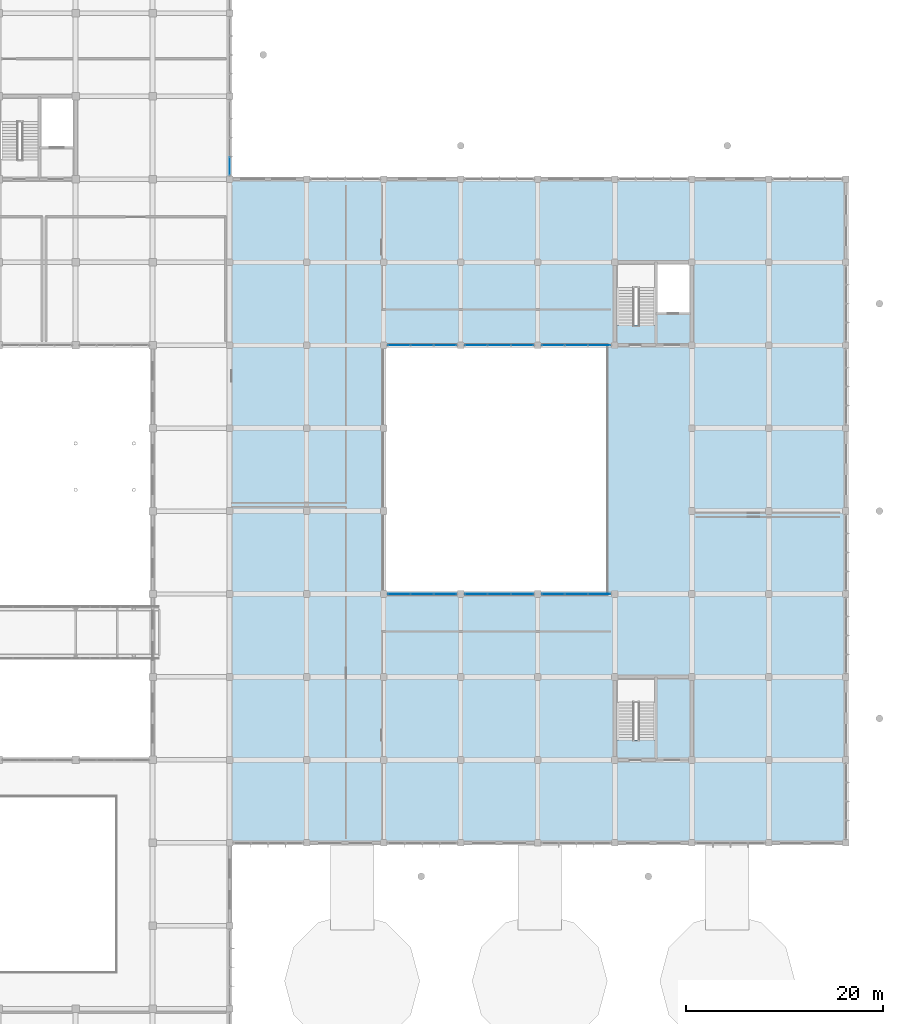
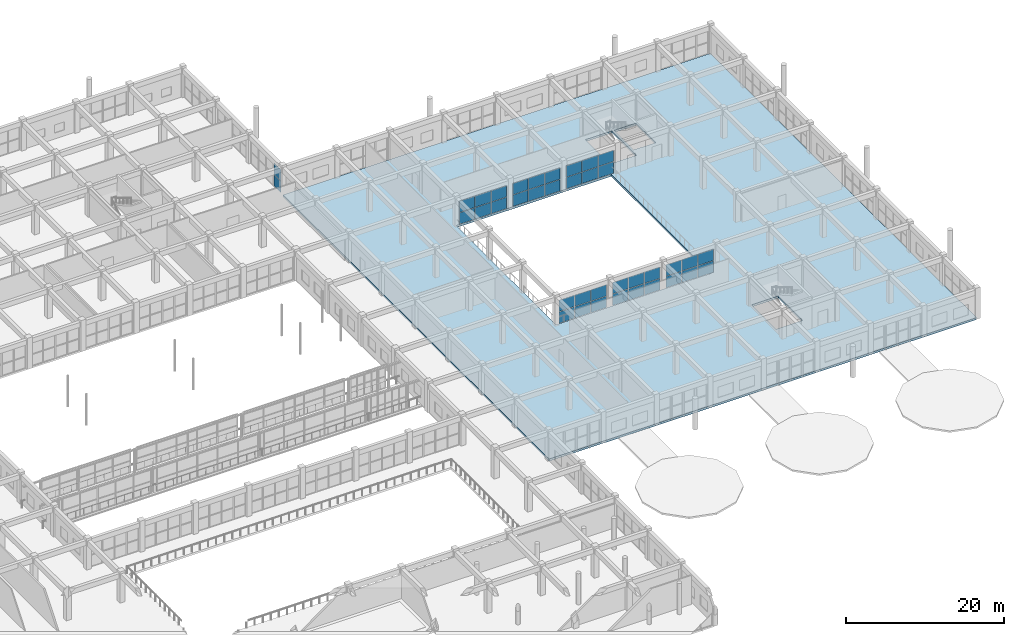
# One storey, part 150 of 175: 38 plates, 1 slab, 7 elements without a shape of their own.
"""IFC4 building model written with IfcOpenShell, lengths in metres."""

from ifc_helpers import new_model, si_unit, direction, frame, origin, origin_2d, place, context, subcontext, project, spatial, polyline, rectangle, outline, extrude, material, layer, layer_set, type_object, element, aggregate, save


model = new_model("IFC4")

# Units and contexts
model_context = context("Model", 3, precision=1e-05, world=origin(), true_north=direction((0.0, 1.0)))
body_context = subcontext(model_context, "Body", "Model", "MODEL_VIEW")
ifc_project = project(units=[si_unit("LENGTHUNIT", "METRE"), si_unit("AREAUNIT", "SQUARE_METRE"), si_unit("VOLUMEUNIT", "CUBIC_METRE"), si_unit("PLANEANGLEUNIT", "RADIAN"), si_unit("MASSUNIT", "GRAM", prefix="KILO")], contexts=[model_context])

# Site, building, storey
site_placement = place(None, origin())
site = spatial("IfcSite", under=ifc_project, at=site_placement, CompositionType="ELEMENT")
building_placement = place(site_placement, origin())
building = spatial("IfcBuilding", under=site, at=building_placement, Name="Zizhar Promenade General Hospital", CompositionType="ELEMENT")
storey_placement = place(building_placement, frame((0.0, 0.0, 4.800048828125)))
storey = spatial("IfcBuildingStorey", under=building, at=storey_placement, Name="L01", CompositionType="ELEMENT", Elevation=4.800048828125)

# Curtain wall, plates
ifc_material_1 = material(Name="Anodised aluminium 6063-T6 and low-E glass", Category="aluminium")
ifc_layer_1 = layer(ifc_material_1, 0.159912109375)
ifc_layer_set_1 = layer_set([ifc_layer_1], Name="Anodised aluminium 6063-T6 and low-E glass")
curtain_wall_type_1 = type_object("IfcCurtainWallType", Name="CW-DT-MOD1", PredefinedType="NOTDEFINED", material=ifc_layer_set_1)
curtain_wall_1_placement = place(storey_placement, origin())
curtain_wall_1 = element("IfcCurtainWall", 1, at=curtain_wall_1_placement, inside=storey, type_object=curtain_wall_type_1, Name="Surgical East Glazed Curtain Wall L01-13", PredefinedType="NOTDEFINED")
ifc_material_2 = material(Name="Low-E solar-control glass", Category="glass")
ifc_layer_2 = layer(ifc_material_2, 0.031982421875)
ifc_layer_set_2 = layer_set([ifc_layer_2], Name="Low-E solar-control glass")
plate_type = type_object("IfcPlateType", Name="CWP-GLZ-32", PredefinedType="CURTAIN_PANEL", material=ifc_layer_set_2)
plate_1_placement = place(storey_placement, frame((132.60009765625, 110.5400390625, 0.06005859375), z_axis=(0.0, 0.0, 1.0), x_axis=(0.0, -1.0, 0.0)))
plate_1 = element("IfcPlate", 2, at=plate_1_placement, type_object=plate_type, Name="CW-07 panel 4.1", PredefinedType="CURTAIN_PANEL", context=body_context, shape_type="SweptSolid", body=[
    extrude(rectangle(XDim=1.800048828125, YDim=0.031982421875, at=origin_2d()), origin(), (0.0, 0.0, 1.0), 1.75),
])
plate_2_placement = place(storey_placement, frame((132.60009765625, 110.5400390625, 1.869873046875), z_axis=(0.0, 0.0, 1.0), x_axis=(0.0, -1.0, 0.0)))
plate_2 = element("IfcPlate", 3, at=plate_2_placement, type_object=plate_type, Name="CW-07 panel 4.2", PredefinedType="CURTAIN_PANEL", context=body_context, shape_type="SweptSolid", body=[
    extrude(rectangle(XDim=1.800048828125, YDim=0.031982421875, at=origin_2d()), origin(), (0.0, 0.0, 1.0), 1.75),
])
aggregate(curtain_wall_1, [plate_1, plate_2])

ifc_material_3 = material(Name="Anodised aluminium 6063-T6 and low-E glass", Category="aluminium")
ifc_layer_3 = layer(ifc_material_3, 0.159912109375)
ifc_layer_set_3 = layer_set([ifc_layer_3], Name="Anodised aluminium 6063-T6 and low-E glass")
curtain_wall_type_2 = type_object("IfcCurtainWallType", Name="CW-CLN-CRT", PredefinedType="NOTDEFINED", material=ifc_layer_set_3)
curtain_wall_2_placement = place(storey_placement, origin())
curtain_wall_2 = element("IfcCurtainWall", 4, at=curtain_wall_2_placement, inside=storey, type_object=curtain_wall_type_2, Name="East Light Court South Glazing L01-19", PredefinedType="NOTDEFINED")
plate_3_placement = place(storey_placement, frame((149.760009765625, 67.199951171875, 0.06005859375), z_axis=(0.0, 0.0, 1.0), x_axis=(1.0, 0.0, 0.0)))
plate_3 = element("IfcPlate", 5, at=plate_3_placement, type_object=plate_type, Name="CW-10 panel 1.1", PredefinedType="CURTAIN_PANEL", context=body_context, shape_type="SweptSolid", body=[
    extrude(rectangle(XDim=2.239990234375, YDim=0.031982421875, at=origin_2d()), origin(), (0.0, 0.0, 1.0), 1.75),
])
plate_4_placement = place(storey_placement, frame((149.760009765625, 67.199951171875, 1.869873046875), z_axis=(0.0, 0.0, 1.0), x_axis=(1.0, 0.0, 0.0)))
plate_4 = element("IfcPlate", 6, at=plate_4_placement, type_object=plate_type, Name="CW-10 panel 1.2", PredefinedType="CURTAIN_PANEL", context=body_context, shape_type="SweptSolid", body=[
    extrude(rectangle(XDim=2.239990234375, YDim=0.031982421875, at=origin_2d()), origin(), (0.0, 0.0, 1.0), 1.75),
])
plate_5_placement = place(storey_placement, frame((152.10009765625, 67.199951171875, 0.06005859375), z_axis=(0.0, 0.0, 1.0), x_axis=(1.0, 0.0, 0.0)))
plate_5 = element("IfcPlate", 7, at=plate_5_placement, type_object=plate_type, Name="CW-10 panel 2.1", PredefinedType="CURTAIN_PANEL", context=body_context, shape_type="SweptSolid", body=[
    extrude(rectangle(XDim=2.280029296875, YDim=0.031982421875, at=origin_2d()), origin(), (0.0, 0.0, 1.0), 1.75),
])
plate_6_placement = place(storey_placement, frame((152.10009765625, 67.199951171875, 1.869873046875), z_axis=(0.0, 0.0, 1.0), x_axis=(1.0, 0.0, 0.0)))
plate_6 = element("IfcPlate", 8, at=plate_6_placement, type_object=plate_type, Name="CW-10 panel 2.2", PredefinedType="CURTAIN_PANEL", context=body_context, shape_type="SweptSolid", body=[
    extrude(rectangle(XDim=2.280029296875, YDim=0.031982421875, at=origin_2d()), origin(), (0.0, 0.0, 1.0), 1.75),
])
plate_7_placement = place(storey_placement, frame((154.43994140625, 67.199951171875, 0.06005859375), z_axis=(0.0, 0.0, 1.0), x_axis=(1.0, 0.0, 0.0)))
plate_7 = element("IfcPlate", 9, at=plate_7_placement, type_object=plate_type, Name="CW-10 panel 3.1", PredefinedType="CURTAIN_PANEL", context=body_context, shape_type="SweptSolid", body=[
    extrude(rectangle(XDim=2.239990234375, YDim=0.031982421875, at=origin_2d()), origin(), (0.0, 0.0, 1.0), 1.75),
])
plate_8_placement = place(storey_placement, frame((154.43994140625, 67.199951171875, 1.869873046875), z_axis=(0.0, 0.0, 1.0), x_axis=(1.0, 0.0, 0.0)))
plate_8 = element("IfcPlate", 10, at=plate_8_placement, type_object=plate_type, Name="CW-10 panel 3.2", PredefinedType="CURTAIN_PANEL", context=body_context, shape_type="SweptSolid", body=[
    extrude(rectangle(XDim=2.239990234375, YDim=0.031982421875, at=origin_2d()), origin(), (0.0, 0.0, 1.0), 1.75),
])
aggregate(curtain_wall_2, [plate_3, plate_4, plate_5, plate_6, plate_7, plate_8])

curtain_wall_3_placement = place(storey_placement, origin())
curtain_wall_3 = element("IfcCurtainWall", 11, at=curtain_wall_3_placement, inside=storey, type_object=curtain_wall_type_2, Name="East Light Court North Glazing L01-19", PredefinedType="NOTDEFINED")
plate_9_placement = place(storey_placement, frame((154.43994140625, 92.39990234375, 0.06005859375), z_axis=(0.0, 0.0, 1.0), x_axis=(-1.0, 0.0, 0.0)))
plate_9 = element("IfcPlate", 12, at=plate_9_placement, type_object=plate_type, Name="CW-10 panel 1.1", PredefinedType="CURTAIN_PANEL", context=body_context, shape_type="SweptSolid", body=[
    extrude(rectangle(XDim=2.239990234375, YDim=0.031982421875, at=origin_2d()), origin(), (0.0, 0.0, 1.0), 1.75),
])
plate_10_placement = place(storey_placement, frame((154.43994140625, 92.39990234375, 1.869873046875), z_axis=(0.0, 0.0, 1.0), x_axis=(-1.0, 0.0, 0.0)))
plate_10 = element("IfcPlate", 13, at=plate_10_placement, type_object=plate_type, Name="CW-10 panel 1.2", PredefinedType="CURTAIN_PANEL", context=body_context, shape_type="SweptSolid", body=[
    extrude(rectangle(XDim=2.239990234375, YDim=0.031982421875, at=origin_2d()), origin(), (0.0, 0.0, 1.0), 1.75),
])
plate_11_placement = place(storey_placement, frame((152.10009765625, 92.39990234375, 0.06005859375), z_axis=(0.0, 0.0, 1.0), x_axis=(-1.0, 0.0, 0.0)))
plate_11 = element("IfcPlate", 14, at=plate_11_placement, type_object=plate_type, Name="CW-10 panel 2.1", PredefinedType="CURTAIN_PANEL", context=body_context, shape_type="SweptSolid", body=[
    extrude(rectangle(XDim=2.280029296875, YDim=0.031982421875, at=origin_2d()), origin(), (0.0, 0.0, 1.0), 1.75),
])
plate_12_placement = place(storey_placement, frame((152.10009765625, 92.39990234375, 1.869873046875), z_axis=(0.0, 0.0, 1.0), x_axis=(-1.0, 0.0, 0.0)))
plate_12 = element("IfcPlate", 15, at=plate_12_placement, type_object=plate_type, Name="CW-10 panel 2.2", PredefinedType="CURTAIN_PANEL", context=body_context, shape_type="SweptSolid", body=[
    extrude(rectangle(XDim=2.280029296875, YDim=0.031982421875, at=origin_2d()), origin(), (0.0, 0.0, 1.0), 1.75),
])
plate_13_placement = place(storey_placement, frame((149.760009765625, 92.39990234375, 0.06005859375), z_axis=(0.0, 0.0, 1.0), x_axis=(-1.0, 0.0, 0.0)))
plate_13 = element("IfcPlate", 16, at=plate_13_placement, type_object=plate_type, Name="CW-10 panel 3.1", PredefinedType="CURTAIN_PANEL", context=body_context, shape_type="SweptSolid", body=[
    extrude(rectangle(XDim=2.239990234375, YDim=0.031982421875, at=origin_2d()), origin(), (0.0, 0.0, 1.0), 1.75),
])
plate_14_placement = place(storey_placement, frame((149.760009765625, 92.39990234375, 1.869873046875), z_axis=(0.0, 0.0, 1.0), x_axis=(-1.0, 0.0, 0.0)))
plate_14 = element("IfcPlate", 17, at=plate_14_placement, type_object=plate_type, Name="CW-10 panel 3.2", PredefinedType="CURTAIN_PANEL", context=body_context, shape_type="SweptSolid", body=[
    extrude(rectangle(XDim=2.239990234375, YDim=0.031982421875, at=origin_2d()), origin(), (0.0, 0.0, 1.0), 1.75),
])
aggregate(curtain_wall_3, [plate_9, plate_10, plate_11, plate_12, plate_13, plate_14])

curtain_wall_4_placement = place(storey_placement, origin())
curtain_wall_4 = element("IfcCurtainWall", 18, at=curtain_wall_4_placement, inside=storey, type_object=curtain_wall_type_2, Name="East Light Court South Glazing L01-20", PredefinedType="NOTDEFINED")
plate_15_placement = place(storey_placement, frame((157.56005859375, 67.199951171875, 0.06005859375), z_axis=(0.0, 0.0, 1.0), x_axis=(1.0, 0.0, 0.0)))
plate_15 = element("IfcPlate", 19, at=plate_15_placement, type_object=plate_type, Name="CW-10 panel 1.1", PredefinedType="CURTAIN_PANEL", context=body_context, shape_type="SweptSolid", body=[
    extrude(rectangle(XDim=2.239990234375, YDim=0.031982421875, at=origin_2d()), origin(), (0.0, 0.0, 1.0), 1.75),
])
plate_16_placement = place(storey_placement, frame((157.56005859375, 67.199951171875, 1.869873046875), z_axis=(0.0, 0.0, 1.0), x_axis=(1.0, 0.0, 0.0)))
plate_16 = element("IfcPlate", 20, at=plate_16_placement, type_object=plate_type, Name="CW-10 panel 1.2", PredefinedType="CURTAIN_PANEL", context=body_context, shape_type="SweptSolid", body=[
    extrude(rectangle(XDim=2.239990234375, YDim=0.031982421875, at=origin_2d()), origin(), (0.0, 0.0, 1.0), 1.75),
])
plate_17_placement = place(storey_placement, frame((159.89990234375, 67.199951171875, 0.06005859375), z_axis=(0.0, 0.0, 1.0), x_axis=(1.0, 0.0, 0.0)))
plate_17 = element("IfcPlate", 21, at=plate_17_placement, type_object=plate_type, Name="CW-10 panel 2.1", PredefinedType="CURTAIN_PANEL", context=body_context, shape_type="SweptSolid", body=[
    extrude(rectangle(XDim=2.280029296875, YDim=0.031982421875, at=origin_2d()), origin(), (0.0, 0.0, 1.0), 1.75),
])
plate_18_placement = place(storey_placement, frame((159.89990234375, 67.199951171875, 1.869873046875), z_axis=(0.0, 0.0, 1.0), x_axis=(1.0, 0.0, 0.0)))
plate_18 = element("IfcPlate", 22, at=plate_18_placement, type_object=plate_type, Name="CW-10 panel 2.2", PredefinedType="CURTAIN_PANEL", context=body_context, shape_type="SweptSolid", body=[
    extrude(rectangle(XDim=2.280029296875, YDim=0.031982421875, at=origin_2d()), origin(), (0.0, 0.0, 1.0), 1.75),
])
plate_19_placement = place(storey_placement, frame((162.239990234375, 67.199951171875, 0.06005859375), z_axis=(0.0, 0.0, 1.0), x_axis=(1.0, 0.0, 0.0)))
plate_19 = element("IfcPlate", 23, at=plate_19_placement, type_object=plate_type, Name="CW-10 panel 3.1", PredefinedType="CURTAIN_PANEL", context=body_context, shape_type="SweptSolid", body=[
    extrude(rectangle(XDim=2.239990234375, YDim=0.031982421875, at=origin_2d()), origin(), (0.0, 0.0, 1.0), 1.75),
])
plate_20_placement = place(storey_placement, frame((162.239990234375, 67.199951171875, 1.869873046875), z_axis=(0.0, 0.0, 1.0), x_axis=(1.0, 0.0, 0.0)))
plate_20 = element("IfcPlate", 24, at=plate_20_placement, type_object=plate_type, Name="CW-10 panel 3.2", PredefinedType="CURTAIN_PANEL", context=body_context, shape_type="SweptSolid", body=[
    extrude(rectangle(XDim=2.239990234375, YDim=0.031982421875, at=origin_2d()), origin(), (0.0, 0.0, 1.0), 1.75),
])
aggregate(curtain_wall_4, [plate_15, plate_16, plate_17, plate_18, plate_19, plate_20])

curtain_wall_5_placement = place(storey_placement, origin())
curtain_wall_5 = element("IfcCurtainWall", 25, at=curtain_wall_5_placement, inside=storey, type_object=curtain_wall_type_2, Name="East Light Court North Glazing L01-20", PredefinedType="NOTDEFINED")
plate_21_placement = place(storey_placement, frame((162.239990234375, 92.39990234375, 0.06005859375), z_axis=(0.0, 0.0, 1.0), x_axis=(-1.0, 0.0, 0.0)))
plate_21 = element("IfcPlate", 26, at=plate_21_placement, type_object=plate_type, Name="CW-10 panel 1.1", PredefinedType="CURTAIN_PANEL", context=body_context, shape_type="SweptSolid", body=[
    extrude(rectangle(XDim=2.239990234375, YDim=0.031982421875, at=origin_2d()), origin(), (0.0, 0.0, 1.0), 1.75),
])
plate_22_placement = place(storey_placement, frame((162.239990234375, 92.39990234375, 1.869873046875), z_axis=(0.0, 0.0, 1.0), x_axis=(-1.0, 0.0, 0.0)))
plate_22 = element("IfcPlate", 27, at=plate_22_placement, type_object=plate_type, Name="CW-10 panel 1.2", PredefinedType="CURTAIN_PANEL", context=body_context, shape_type="SweptSolid", body=[
    extrude(rectangle(XDim=2.239990234375, YDim=0.031982421875, at=origin_2d()), origin(), (0.0, 0.0, 1.0), 1.75),
])
plate_23_placement = place(storey_placement, frame((159.89990234375, 92.39990234375, 0.06005859375), z_axis=(0.0, 0.0, 1.0), x_axis=(-1.0, 0.0, 0.0)))
plate_23 = element("IfcPlate", 28, at=plate_23_placement, type_object=plate_type, Name="CW-10 panel 2.1", PredefinedType="CURTAIN_PANEL", context=body_context, shape_type="SweptSolid", body=[
    extrude(rectangle(XDim=2.280029296875, YDim=0.031982421875, at=origin_2d()), origin(), (0.0, 0.0, 1.0), 1.75),
])
plate_24_placement = place(storey_placement, frame((159.89990234375, 92.39990234375, 1.869873046875), z_axis=(0.0, 0.0, 1.0), x_axis=(-1.0, 0.0, 0.0)))
plate_24 = element("IfcPlate", 29, at=plate_24_placement, type_object=plate_type, Name="CW-10 panel 2.2", PredefinedType="CURTAIN_PANEL", context=body_context, shape_type="SweptSolid", body=[
    extrude(rectangle(XDim=2.280029296875, YDim=0.031982421875, at=origin_2d()), origin(), (0.0, 0.0, 1.0), 1.75),
])
plate_25_placement = place(storey_placement, frame((157.56005859375, 92.39990234375, 0.06005859375), z_axis=(0.0, 0.0, 1.0), x_axis=(-1.0, 0.0, 0.0)))
plate_25 = element("IfcPlate", 30, at=plate_25_placement, type_object=plate_type, Name="CW-10 panel 3.1", PredefinedType="CURTAIN_PANEL", context=body_context, shape_type="SweptSolid", body=[
    extrude(rectangle(XDim=2.239990234375, YDim=0.031982421875, at=origin_2d()), origin(), (0.0, 0.0, 1.0), 1.75),
])
plate_26_placement = place(storey_placement, frame((157.56005859375, 92.39990234375, 1.869873046875), z_axis=(0.0, 0.0, 1.0), x_axis=(-1.0, 0.0, 0.0)))
plate_26 = element("IfcPlate", 31, at=plate_26_placement, type_object=plate_type, Name="CW-10 panel 3.2", PredefinedType="CURTAIN_PANEL", context=body_context, shape_type="SweptSolid", body=[
    extrude(rectangle(XDim=2.239990234375, YDim=0.031982421875, at=origin_2d()), origin(), (0.0, 0.0, 1.0), 1.75),
])
aggregate(curtain_wall_5, [plate_21, plate_22, plate_23, plate_24, plate_25, plate_26])

curtain_wall_6_placement = place(storey_placement, origin())
curtain_wall_6 = element("IfcCurtainWall", 32, at=curtain_wall_6_placement, inside=storey, type_object=curtain_wall_type_2, Name="East Light Court South Glazing L01-21", PredefinedType="NOTDEFINED")
plate_27_placement = place(storey_placement, frame((165.360107421875, 67.199951171875, 0.06005859375), z_axis=(0.0, 0.0, 1.0), x_axis=(1.0, 0.0, 0.0)))
plate_27 = element("IfcPlate", 33, at=plate_27_placement, type_object=plate_type, Name="CW-10 panel 1.1", PredefinedType="CURTAIN_PANEL", context=body_context, shape_type="SweptSolid", body=[
    extrude(rectangle(XDim=2.239990234375, YDim=0.031982421875, at=origin_2d()), origin(), (0.0, 0.0, 1.0), 1.75),
])
plate_28_placement = place(storey_placement, frame((165.360107421875, 67.199951171875, 1.869873046875), z_axis=(0.0, 0.0, 1.0), x_axis=(1.0, 0.0, 0.0)))
plate_28 = element("IfcPlate", 34, at=plate_28_placement, type_object=plate_type, Name="CW-10 panel 1.2", PredefinedType="CURTAIN_PANEL", context=body_context, shape_type="SweptSolid", body=[
    extrude(rectangle(XDim=2.239990234375, YDim=0.031982421875, at=origin_2d()), origin(), (0.0, 0.0, 1.0), 1.75),
])
plate_29_placement = place(storey_placement, frame((167.699951171875, 67.199951171875, 0.06005859375), z_axis=(0.0, 0.0, 1.0), x_axis=(1.0, 0.0, 0.0)))
plate_29 = element("IfcPlate", 35, at=plate_29_placement, type_object=plate_type, Name="CW-10 panel 2.1", PredefinedType="CURTAIN_PANEL", context=body_context, shape_type="SweptSolid", body=[
    extrude(rectangle(XDim=2.280029296875, YDim=0.031982421875, at=origin_2d()), origin(), (0.0, 0.0, 1.0), 1.75),
])
plate_30_placement = place(storey_placement, frame((167.699951171875, 67.199951171875, 1.869873046875), z_axis=(0.0, 0.0, 1.0), x_axis=(1.0, 0.0, 0.0)))
plate_30 = element("IfcPlate", 36, at=plate_30_placement, type_object=plate_type, Name="CW-10 panel 2.2", PredefinedType="CURTAIN_PANEL", context=body_context, shape_type="SweptSolid", body=[
    extrude(rectangle(XDim=2.280029296875, YDim=0.031982421875, at=origin_2d()), origin(), (0.0, 0.0, 1.0), 1.75),
])
plate_31_placement = place(storey_placement, frame((170.0400390625, 67.199951171875, 0.06005859375), z_axis=(0.0, 0.0, 1.0), x_axis=(1.0, 0.0, 0.0)))
plate_31 = element("IfcPlate", 37, at=plate_31_placement, type_object=plate_type, Name="CW-10 panel 3.1", PredefinedType="CURTAIN_PANEL", context=body_context, shape_type="SweptSolid", body=[
    extrude(rectangle(XDim=2.239990234375, YDim=0.031982421875, at=origin_2d()), origin(), (0.0, 0.0, 1.0), 1.75),
])
plate_32_placement = place(storey_placement, frame((170.0400390625, 67.199951171875, 1.869873046875), z_axis=(0.0, 0.0, 1.0), x_axis=(1.0, 0.0, 0.0)))
plate_32 = element("IfcPlate", 38, at=plate_32_placement, type_object=plate_type, Name="CW-10 panel 3.2", PredefinedType="CURTAIN_PANEL", context=body_context, shape_type="SweptSolid", body=[
    extrude(rectangle(XDim=2.239990234375, YDim=0.031982421875, at=origin_2d()), origin(), (0.0, 0.0, 1.0), 1.75),
])
aggregate(curtain_wall_6, [plate_27, plate_28, plate_29, plate_30, plate_31, plate_32])

curtain_wall_7_placement = place(storey_placement, origin())
curtain_wall_7 = element("IfcCurtainWall", 39, at=curtain_wall_7_placement, inside=storey, type_object=curtain_wall_type_2, Name="East Light Court North Glazing L01-21", PredefinedType="NOTDEFINED")
plate_33_placement = place(storey_placement, frame((170.0400390625, 92.39990234375, 0.06005859375), z_axis=(0.0, 0.0, 1.0), x_axis=(-1.0, 0.0, 0.0)))
plate_33 = element("IfcPlate", 40, at=plate_33_placement, type_object=plate_type, Name="CW-10 panel 1.1", PredefinedType="CURTAIN_PANEL", context=body_context, shape_type="SweptSolid", body=[
    extrude(rectangle(XDim=2.239990234375, YDim=0.031982421875, at=origin_2d()), origin(), (0.0, 0.0, 1.0), 1.75),
])
plate_34_placement = place(storey_placement, frame((170.0400390625, 92.39990234375, 1.869873046875), z_axis=(0.0, 0.0, 1.0), x_axis=(-1.0, 0.0, 0.0)))
plate_34 = element("IfcPlate", 41, at=plate_34_placement, type_object=plate_type, Name="CW-10 panel 1.2", PredefinedType="CURTAIN_PANEL", context=body_context, shape_type="SweptSolid", body=[
    extrude(rectangle(XDim=2.239990234375, YDim=0.031982421875, at=origin_2d()), origin(), (0.0, 0.0, 1.0), 1.75),
])
plate_35_placement = place(storey_placement, frame((167.699951171875, 92.39990234375, 0.06005859375), z_axis=(0.0, 0.0, 1.0), x_axis=(-1.0, 0.0, 0.0)))
plate_35 = element("IfcPlate", 42, at=plate_35_placement, type_object=plate_type, Name="CW-10 panel 2.1", PredefinedType="CURTAIN_PANEL", context=body_context, shape_type="SweptSolid", body=[
    extrude(rectangle(XDim=2.280029296875, YDim=0.031982421875, at=origin_2d()), origin(), (0.0, 0.0, 1.0), 1.75),
])
plate_36_placement = place(storey_placement, frame((167.699951171875, 92.39990234375, 1.869873046875), z_axis=(0.0, 0.0, 1.0), x_axis=(-1.0, 0.0, 0.0)))
plate_36 = element("IfcPlate", 43, at=plate_36_placement, type_object=plate_type, Name="CW-10 panel 2.2", PredefinedType="CURTAIN_PANEL", context=body_context, shape_type="SweptSolid", body=[
    extrude(rectangle(XDim=2.280029296875, YDim=0.031982421875, at=origin_2d()), origin(), (0.0, 0.0, 1.0), 1.75),
])
plate_37_placement = place(storey_placement, frame((165.360107421875, 92.39990234375, 0.06005859375), z_axis=(0.0, 0.0, 1.0), x_axis=(-1.0, 0.0, 0.0)))
plate_37 = element("IfcPlate", 44, at=plate_37_placement, type_object=plate_type, Name="CW-10 panel 3.1", PredefinedType="CURTAIN_PANEL", context=body_context, shape_type="SweptSolid", body=[
    extrude(rectangle(XDim=2.239990234375, YDim=0.031982421875, at=origin_2d()), origin(), (0.0, 0.0, 1.0), 1.75),
])
plate_38_placement = place(storey_placement, frame((165.360107421875, 92.39990234375, 1.869873046875), z_axis=(0.0, 0.0, 1.0), x_axis=(-1.0, 0.0, 0.0)))
plate_38 = element("IfcPlate", 45, at=plate_38_placement, type_object=plate_type, Name="CW-10 panel 3.2", PredefinedType="CURTAIN_PANEL", context=body_context, shape_type="SweptSolid", body=[
    extrude(rectangle(XDim=2.239990234375, YDim=0.031982421875, at=origin_2d()), origin(), (0.0, 0.0, 1.0), 1.75),
])
aggregate(curtain_wall_7, [plate_33, plate_34, plate_35, plate_36, plate_37, plate_38])

# Slab
ifc_material_4 = material(Name="Concrete C35/45", Category="concrete")
ifc_layer_4 = layer(ifc_material_4, 0.320068359375)
ifc_layer_set_4 = layer_set([ifc_layer_4], Name="Concrete C35/45")
slab_type = type_object("IfcSlabType", Name="SLB-FLR-320", PredefinedType="FLOOR", material=ifc_layer_set_4)
slab_placement = place(storey_placement, frame((0.0, 0.0, -0.320068359375)))
element("IfcSlab", 46, at=slab_placement, inside=storey, type_object=slab_type, Name="Level L01 Outpatient Wing Floor Slab", PredefinedType="FLOOR", context=body_context, shape_type="SweptSolid", body=[
    extrude(outline(polyline([(132.64990234375, 42.0), (195.0, 42.0), (195.0, 109.199951171875), (132.64990234375, 109.199951171875), (132.64990234375, 42.0)]), holes=[polyline([(148.199951171875, 67.199951171875), (148.199951171875, 92.39990234375), (170.800048828125, 92.39990234375), (170.800048828125, 67.199951171875), (148.199951171875, 67.199951171875)]), polyline([(171.780029296875, 94.429931640625), (171.780029296875, 100.6201171875), (175.679931640625, 100.6201171875), (175.679931640625, 94.429931640625), (171.780029296875, 94.429931640625)]), polyline([(175.949951171875, 95.6201171875), (175.949951171875, 100.580078125), (179.179931640625, 100.580078125), (179.179931640625, 95.6201171875), (175.949951171875, 95.6201171875)]), polyline([(171.780029296875, 52.429931640625), (171.780029296875, 58.6201171875), (175.679931640625, 58.6201171875), (175.679931640625, 52.429931640625), (171.780029296875, 52.429931640625)])]), origin(), (0.0, 0.0, 1.0), 0.320068359375),
])

save(model, "model.ifc")
